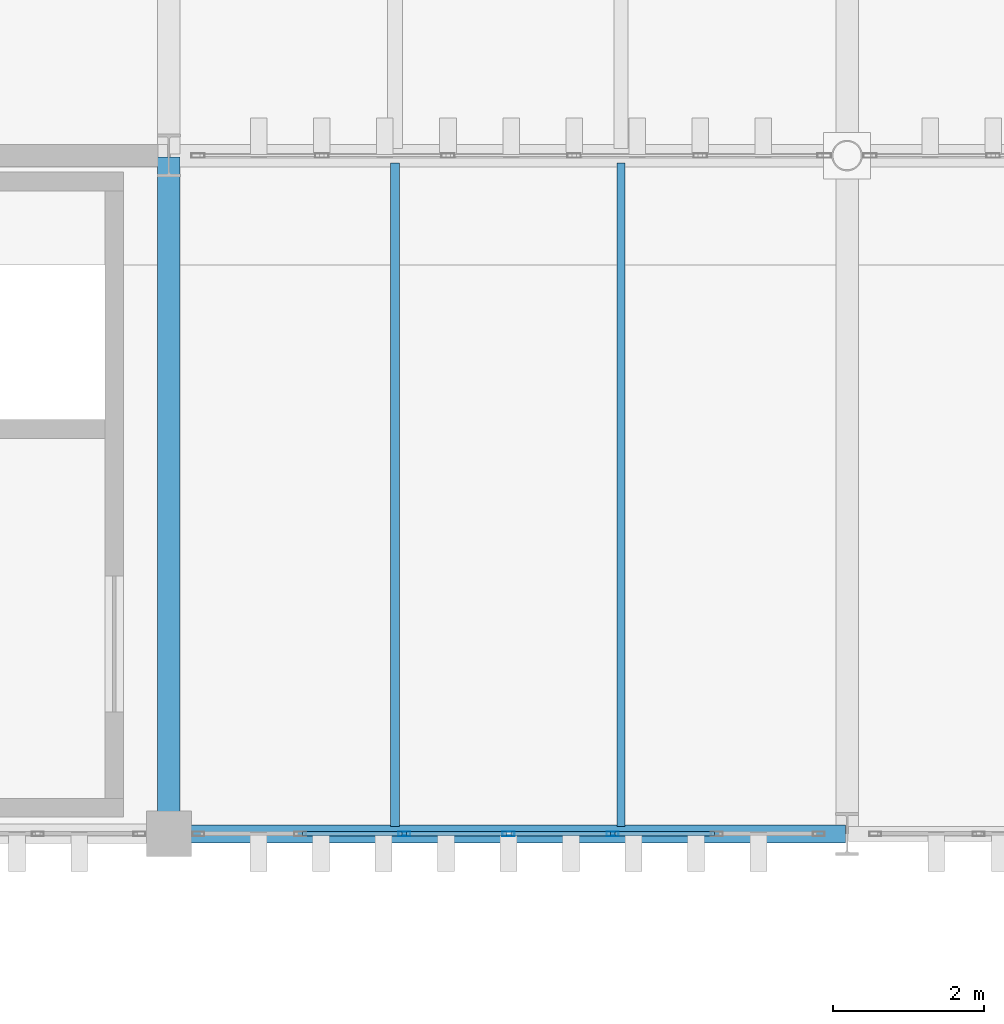
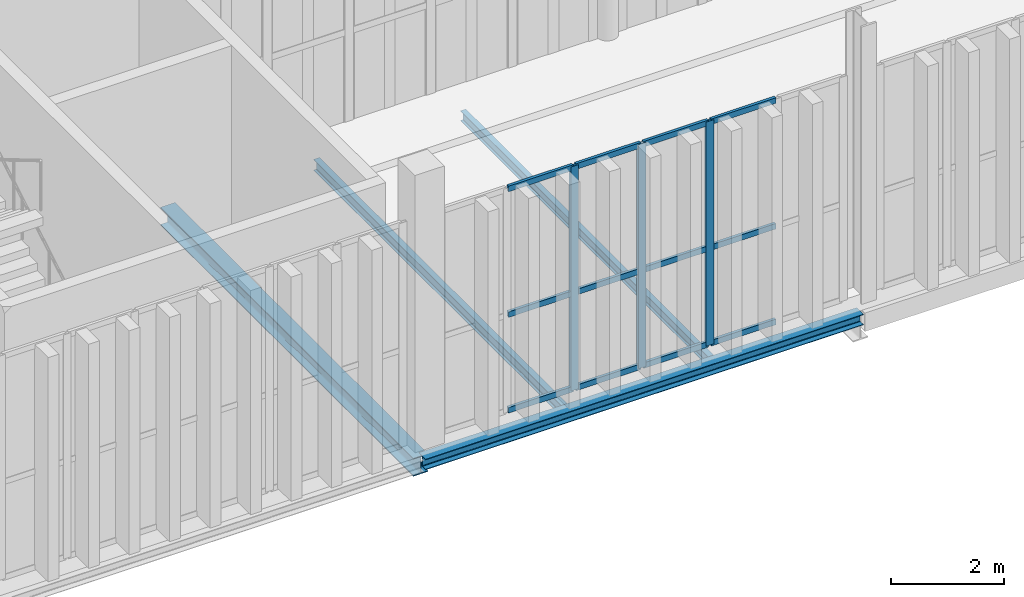
# One storey, part 142 of 237: 15 members, 4 beams, 1 element without a shape of its own.
"""IFC4 building model written with IfcOpenShell, lengths in metres."""

from ifc_helpers import new_model, si_unit, direction, frame, origin, origin_2d, place, context, subcontext, project, spatial, hollow_rectangle, i_section, extrude, material, layer, layer_set, material_profile, profile_set, type_object, element, aggregate, save


model = new_model("IFC4")

# Units and contexts
model_context = context("Model", 3, precision=1e-05, world=origin(), true_north=direction((0.0, 1.0)))
body_context = subcontext(model_context, "Body", "Model", "MODEL_VIEW")
ifc_project = project(units=[si_unit("LENGTHUNIT", "METRE"), si_unit("AREAUNIT", "SQUARE_METRE"), si_unit("VOLUMEUNIT", "CUBIC_METRE"), si_unit("PLANEANGLEUNIT", "RADIAN"), si_unit("MASSUNIT", "GRAM", prefix="KILO")], contexts=[model_context])

# Site, building, storey
site_placement = place(None, origin())
site = spatial("IfcSite", under=ifc_project, at=site_placement, CompositionType="ELEMENT")
building_placement = place(site_placement, origin())
building = spatial("IfcBuilding", under=site, at=building_placement, Name="Barlavento Convention Centre", CompositionType="ELEMENT")
storey_placement = place(building_placement, frame((0.0, 0.0, 12.0)))
storey = spatial("IfcBuildingStorey", under=building, at=storey_placement, Name="L02", CompositionType="ELEMENT", Elevation=12.0)

# Curtain wall, members
ifc_material_1 = material(Name="Powder-coated aluminium and Low-E glass", Category="aluminium")
ifc_layer = layer(ifc_material_1, 0.195068359375)
ifc_layer_set = layer_set([ifc_layer], Name="ARC-CW-PATIO-A")
curtain_wall_type = type_object("IfcCurtainWallType", Name="ARC-CW-PATIO-A", PredefinedType="NOTDEFINED", material=ifc_layer_set)
curtain_wall_placement = place(storey_placement, origin())
curtain_wall = element("IfcCurtainWall", 1, at=curtain_wall_placement, inside=storey, type_object=curtain_wall_type, Name="L02 unitised curtain wall CW11", PredefinedType="NOTDEFINED")
ifc_material_2 = material(Name="Powder-coated aluminium", Category="aluminium")
ifc_material_profile_1 = material_profile(ifc_material_2, hollow_rectangle(XDim=0.06005859375, YDim=0.159912109375, WallThickness=0.00390625, at=origin_2d()), Name="AL-MULL 60x160x4")
ifc_profile_set_1 = profile_set([ifc_material_profile_1], Name="Powder-coated aluminium")
member_type_1 = type_object("IfcMemberType", Name="ARC-CWM-60X160", PredefinedType="MULLION", material=ifc_profile_set_1)
member_1_placement = place(storey_placement, frame((156.124755859375, 90.0, 0.0), z_axis=(0.0, 0.0, 1.0), x_axis=(0.0, 1.0, 0.0)))
member_1 = element("IfcMember", 2, at=member_1_placement, type_object=member_type_1, Name="CW11 mullion 3", PredefinedType="MULLION", context=body_context, shape_type="SweptSolid", body=[
    extrude(hollow_rectangle(XDim=0.06005859375, YDim=0.159912109375, WallThickness=0.00390625, at=origin_2d()), origin(), (0.0, 0.0, 1.0), 4.85009765625),
])
member_2_placement = place(storey_placement, frame((157.507080078125, 90.0, 0.0), z_axis=(0.0, 0.0, 1.0), x_axis=(0.0, 1.0, 0.0)))
member_2 = element("IfcMember", 3, at=member_2_placement, type_object=member_type_1, Name="CW11 mullion 4", PredefinedType="MULLION", context=body_context, shape_type="SweptSolid", body=[
    extrude(hollow_rectangle(XDim=0.06005859375, YDim=0.159912109375, WallThickness=0.00390625, at=origin_2d()), origin(), (0.0, 0.0, 1.0), 4.85009765625),
])
member_3_placement = place(storey_placement, frame((158.889404296875, 90.0, 0.0), z_axis=(0.0, 0.0, 1.0), x_axis=(0.0, 1.0, 0.0)))
member_3 = element("IfcMember", 4, at=member_3_placement, type_object=member_type_1, Name="CW11 mullion 5", PredefinedType="MULLION", context=body_context, shape_type="SweptSolid", body=[
    extrude(hollow_rectangle(XDim=0.06005859375, YDim=0.159912109375, WallThickness=0.00390625, at=origin_2d()), origin(), (0.0, 0.0, 1.0), 4.85009765625),
])
ifc_material_profile_2 = material_profile(ifc_material_2, hollow_rectangle(XDim=0.06005859375, YDim=0.1201171875, WallThickness=0.00390625, at=origin_2d()), Name="AL-TRAN 60x120x4")
ifc_profile_set_2 = profile_set([ifc_material_profile_2], Name="Powder-coated aluminium")
member_type_2 = type_object("IfcMemberType", Name="ARC-CWT-60X120", PredefinedType="USERDEFINED", material=ifc_profile_set_2)
member_4_placement = place(storey_placement, frame((154.772216796875, 90.0, 0.030029296875), z_axis=(1.0, 0.0, 0.0), x_axis=(0.0, 1.0, 0.0)))
member_4 = element("IfcMember", 5, at=member_4_placement, type_object=member_type_2, Name="CW11 transom 2.1", ObjectType="TRANSOM", PredefinedType="USERDEFINED", context=body_context, shape_type="SweptSolid", body=[
    extrude(hollow_rectangle(XDim=0.06005859375, YDim=0.1201171875, WallThickness=0.00390625, at=origin_2d()), origin(), (0.0, 0.0, 1.0), 1.322509765625),
])
member_5_placement = place(storey_placement, frame((154.772216796875, 90.0, 2.10009765625), z_axis=(1.0, 0.0, 0.0), x_axis=(0.0, 1.0, 0.0)))
member_5 = element("IfcMember", 6, at=member_5_placement, type_object=member_type_2, Name="CW11 transom 2.2", ObjectType="TRANSOM", PredefinedType="USERDEFINED", context=body_context, shape_type="SweptSolid", body=[
    extrude(hollow_rectangle(XDim=0.06005859375, YDim=0.1201171875, WallThickness=0.00390625, at=origin_2d()), origin(), (0.0, 0.0, 1.0), 1.322509765625),
])
member_6_placement = place(storey_placement, frame((154.772216796875, 90.0, 4.820068359375), z_axis=(1.0, 0.0, 0.0), x_axis=(0.0, 1.0, 0.0)))
member_6 = element("IfcMember", 7, at=member_6_placement, type_object=member_type_2, Name="CW11 transom 2.3", ObjectType="TRANSOM", PredefinedType="USERDEFINED", context=body_context, shape_type="SweptSolid", body=[
    extrude(hollow_rectangle(XDim=0.06005859375, YDim=0.1201171875, WallThickness=0.00390625, at=origin_2d()), origin(), (0.0, 0.0, 1.0), 1.322509765625),
])
member_7_placement = place(storey_placement, frame((156.15478515625, 90.0, 0.030029296875), z_axis=(1.0, 0.0, 0.0), x_axis=(0.0, 1.0, 0.0)))
member_7 = element("IfcMember", 8, at=member_7_placement, type_object=member_type_2, Name="CW11 transom 3.1", ObjectType="TRANSOM", PredefinedType="USERDEFINED", context=body_context, shape_type="SweptSolid", body=[
    extrude(hollow_rectangle(XDim=0.06005859375, YDim=0.1201171875, WallThickness=0.00390625, at=origin_2d()), origin(), (0.0, 0.0, 1.0), 1.322265625),
])
member_8_placement = place(storey_placement, frame((156.15478515625, 90.0, 2.10009765625), z_axis=(1.0, 0.0, 0.0), x_axis=(0.0, 1.0, 0.0)))
member_8 = element("IfcMember", 9, at=member_8_placement, type_object=member_type_2, Name="CW11 transom 3.2", ObjectType="TRANSOM", PredefinedType="USERDEFINED", context=body_context, shape_type="SweptSolid", body=[
    extrude(hollow_rectangle(XDim=0.06005859375, YDim=0.1201171875, WallThickness=0.00390625, at=origin_2d()), origin(), (0.0, 0.0, 1.0), 1.322265625),
])
member_9_placement = place(storey_placement, frame((156.15478515625, 90.0, 4.820068359375), z_axis=(1.0, 0.0, 0.0), x_axis=(0.0, 1.0, 0.0)))
member_9 = element("IfcMember", 10, at=member_9_placement, type_object=member_type_2, Name="CW11 transom 3.3", ObjectType="TRANSOM", PredefinedType="USERDEFINED", context=body_context, shape_type="SweptSolid", body=[
    extrude(hollow_rectangle(XDim=0.06005859375, YDim=0.1201171875, WallThickness=0.00390625, at=origin_2d()), origin(), (0.0, 0.0, 1.0), 1.322265625),
])
member_10_placement = place(storey_placement, frame((157.537109375, 90.0, 0.030029296875), z_axis=(1.0, 0.0, 0.0), x_axis=(0.0, 1.0, 0.0)))
member_10 = element("IfcMember", 11, at=member_10_placement, type_object=member_type_2, Name="CW11 transom 4.1", ObjectType="TRANSOM", PredefinedType="USERDEFINED", context=body_context, shape_type="SweptSolid", body=[
    extrude(hollow_rectangle(XDim=0.06005859375, YDim=0.1201171875, WallThickness=0.00390625, at=origin_2d()), origin(), (0.0, 0.0, 1.0), 1.322265625),
])
member_11_placement = place(storey_placement, frame((157.537109375, 90.0, 2.10009765625), z_axis=(1.0, 0.0, 0.0), x_axis=(0.0, 1.0, 0.0)))
member_11 = element("IfcMember", 12, at=member_11_placement, type_object=member_type_2, Name="CW11 transom 4.2", ObjectType="TRANSOM", PredefinedType="USERDEFINED", context=body_context, shape_type="SweptSolid", body=[
    extrude(hollow_rectangle(XDim=0.06005859375, YDim=0.1201171875, WallThickness=0.00390625, at=origin_2d()), origin(), (0.0, 0.0, 1.0), 1.322265625),
])
member_12_placement = place(storey_placement, frame((157.537109375, 90.0, 4.820068359375), z_axis=(1.0, 0.0, 0.0), x_axis=(0.0, 1.0, 0.0)))
member_12 = element("IfcMember", 13, at=member_12_placement, type_object=member_type_2, Name="CW11 transom 4.3", ObjectType="TRANSOM", PredefinedType="USERDEFINED", context=body_context, shape_type="SweptSolid", body=[
    extrude(hollow_rectangle(XDim=0.06005859375, YDim=0.1201171875, WallThickness=0.00390625, at=origin_2d()), origin(), (0.0, 0.0, 1.0), 1.322265625),
])
member_13_placement = place(storey_placement, frame((158.91943359375, 90.0, 0.030029296875), z_axis=(1.0, 0.0, 0.0), x_axis=(0.0, 1.0, 0.0)))
member_13 = element("IfcMember", 14, at=member_13_placement, type_object=member_type_2, Name="CW11 transom 5.1", ObjectType="TRANSOM", PredefinedType="USERDEFINED", context=body_context, shape_type="SweptSolid", body=[
    extrude(hollow_rectangle(XDim=0.06005859375, YDim=0.1201171875, WallThickness=0.00390625, at=origin_2d()), origin(), (0.0, 0.0, 1.0), 1.322265625),
])
member_14_placement = place(storey_placement, frame((158.91943359375, 90.0, 2.10009765625), z_axis=(1.0, 0.0, 0.0), x_axis=(0.0, 1.0, 0.0)))
member_14 = element("IfcMember", 15, at=member_14_placement, type_object=member_type_2, Name="CW11 transom 5.2", ObjectType="TRANSOM", PredefinedType="USERDEFINED", context=body_context, shape_type="SweptSolid", body=[
    extrude(hollow_rectangle(XDim=0.06005859375, YDim=0.1201171875, WallThickness=0.00390625, at=origin_2d()), origin(), (0.0, 0.0, 1.0), 1.322265625),
])
member_15_placement = place(storey_placement, frame((158.91943359375, 90.0, 4.820068359375), z_axis=(1.0, 0.0, 0.0), x_axis=(0.0, 1.0, 0.0)))
member_15 = element("IfcMember", 16, at=member_15_placement, type_object=member_type_2, Name="CW11 transom 5.3", ObjectType="TRANSOM", PredefinedType="USERDEFINED", context=body_context, shape_type="SweptSolid", body=[
    extrude(hollow_rectangle(XDim=0.06005859375, YDim=0.1201171875, WallThickness=0.00390625, at=origin_2d()), origin(), (0.0, 0.0, 1.0), 1.322265625),
])
aggregate(curtain_wall, [member_1, member_2, member_3, member_4, member_5, member_6, member_7, member_8, member_9, member_10, member_11, member_12, member_13, member_14, member_15])

# Beams
ifc_material_3 = material(Name="Steel S355", Category="steel")
ifc_material_profile_3 = material_profile(ifc_material_3, i_section(OverallWidth=0.110107421875, OverallDepth=0.219970703125, WebThickness=0.005859375, FlangeThickness=0.00927734375, FilletRadius=0.011962890625, at=origin_2d()), Name="IPE 220")
ifc_profile_set_3 = profile_set([ifc_material_profile_3], Name="Steel S355")
beam_type_1 = type_object("IfcBeamType", Name="STR-BM-JST-IPE220", PredefinedType="JOIST", material=ifc_profile_set_3)
beam_1_placement = place(storey_placement, frame((159.0, 90.094970703125, -0.47509765625), z_axis=(0.0, 1.0, 0.0), x_axis=(-1.0, 0.0, 0.0)))
element("IfcBeam", 17, at=beam_1_placement, inside=storey, type_object=beam_type_1, Name="L02 composite floor joist SJ10", PredefinedType="JOIST", context=body_context, shape_type="SweptSolid", body=[
    extrude(i_section(OverallWidth=0.110107421875, OverallDepth=0.219970703125, WebThickness=0.005859375, FlangeThickness=0.00927734375, FilletRadius=0.011962890625, at=origin_2d()), origin(), (0.0, 0.0, 1.0), 8.81005859375),
])
ifc_material_profile_4 = material_profile(ifc_material_3, i_section(OverallWidth=0.1201171875, OverallDepth=0.239990234375, WebThickness=0.006103515625, FlangeThickness=0.009765625, FilletRadius=0.014892578125, at=origin_2d()), Name="IPE 240")
ifc_profile_set_4 = profile_set([ifc_material_profile_4], Name="Steel S355")
beam_type_2 = type_object("IfcBeamType", Name="STR-BM-JST-IPE240", PredefinedType="JOIST", material=ifc_profile_set_4)
beam_2_placement = place(storey_placement, frame((156.0, 90.094970703125, -0.485107421875), z_axis=(0.0, 1.0, 0.0), x_axis=(-1.0, 0.0, 0.0)))
element("IfcBeam", 18, at=beam_2_placement, inside=storey, type_object=beam_type_2, Name="L02 composite floor joist SJ09", PredefinedType="JOIST", context=body_context, shape_type="SweptSolid", body=[
    extrude(i_section(OverallWidth=0.1201171875, OverallDepth=0.239990234375, WebThickness=0.006103515625, FlangeThickness=0.009765625, FilletRadius=0.014892578125, at=origin_2d()), origin(), (0.0, 0.0, 1.0), 8.81005859375),
])
ifc_material_profile_5 = material_profile(ifc_material_3, i_section(OverallWidth=0.300048828125, OverallDepth=0.389892578125, WebThickness=0.010986328125, FlangeThickness=0.01904296875, FilletRadius=0.027099609375, at=origin_2d()), Name="HEA 400")
ifc_profile_set_5 = profile_set([ifc_material_profile_5], Name="Steel S355")
beam_type_3 = type_object("IfcBeamType", Name="STR-BM-PRI-HEA400", PredefinedType="BEAM", material=ifc_profile_set_5)
beam_3_placement = place(storey_placement, frame((153.0, 90.02001953125, -0.56005859375), z_axis=(0.0, 1.0, 0.0), x_axis=(-1.0, 0.0, 0.0)))
element("IfcBeam", 19, at=beam_3_placement, inside=storey, type_object=beam_type_3, Name="L02 grid girder BG22", PredefinedType="BEAM", context=body_context, shape_type="SweptSolid", body=[
    extrude(i_section(OverallWidth=0.300048828125, OverallDepth=0.389892578125, WebThickness=0.010986328125, FlangeThickness=0.01904296875, FilletRadius=0.027099609375, at=origin_2d()), origin(), (0.0, 0.0, 1.0), 8.9599609375),
])
ifc_material_profile_6 = material_profile(ifc_material_3, i_section(OverallWidth=0.239990234375, OverallDepth=0.22998046875, WebThickness=0.007568359375, FlangeThickness=0.011962890625, FilletRadius=0.02099609375, at=origin_2d()), Name="HEA 240")
ifc_profile_set_6 = profile_set([ifc_material_profile_6], Name="Steel S355")
beam_type_4 = type_object("IfcBeamType", Name="STR-BM-SPN-HEA240", PredefinedType="SPANDREL", material=ifc_profile_set_6)
beam_4_placement = place(storey_placement, frame((153.02001953125, 90.0, -0.47509765625), z_axis=(1.0, 0.0, 0.0), x_axis=(0.0, 1.0, 0.0)))
element("IfcBeam", 20, at=beam_4_placement, inside=storey, type_object=beam_type_4, Name="L02 primary girder SP05", PredefinedType="SPANDREL", context=body_context, shape_type="SweptSolid", body=[
    extrude(i_section(OverallWidth=0.239990234375, OverallDepth=0.22998046875, WebThickness=0.007568359375, FlangeThickness=0.011962890625, FilletRadius=0.02099609375, at=origin_2d()), origin(), (0.0, 0.0, 1.0), 8.9599609375),
])

save(model, "model.ifc")
